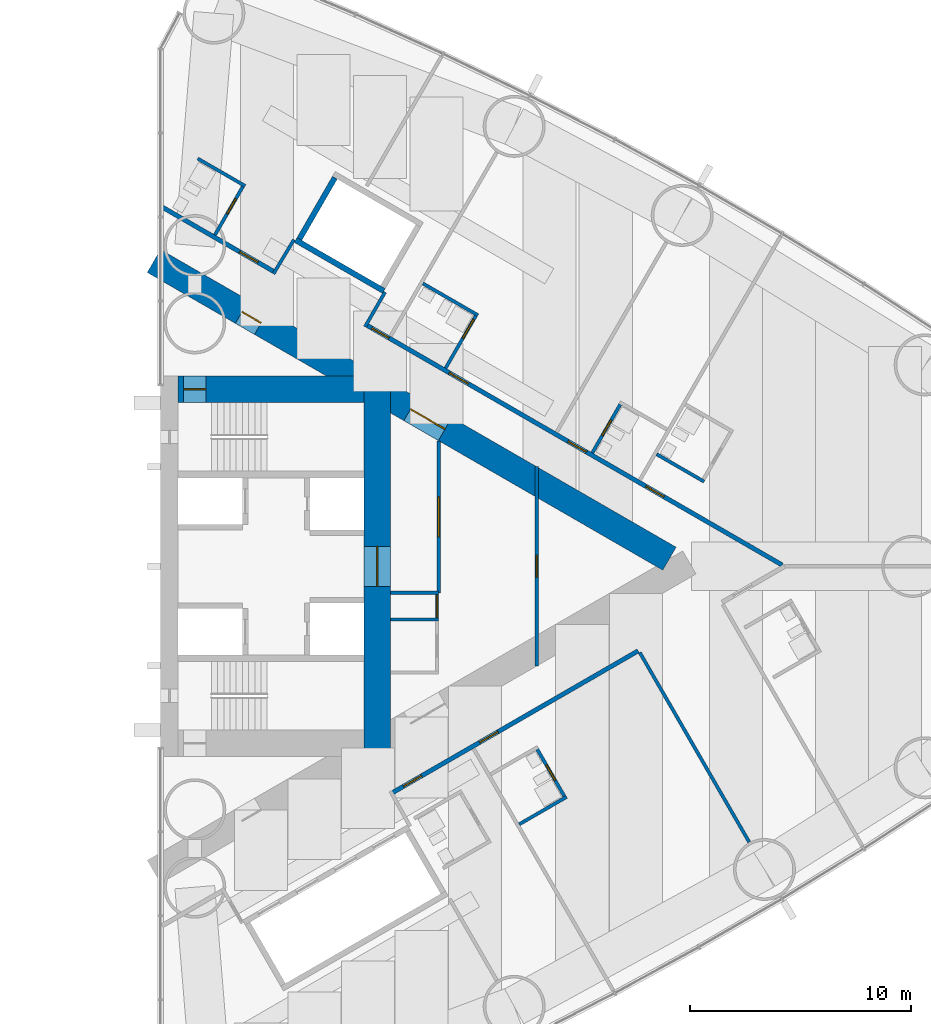
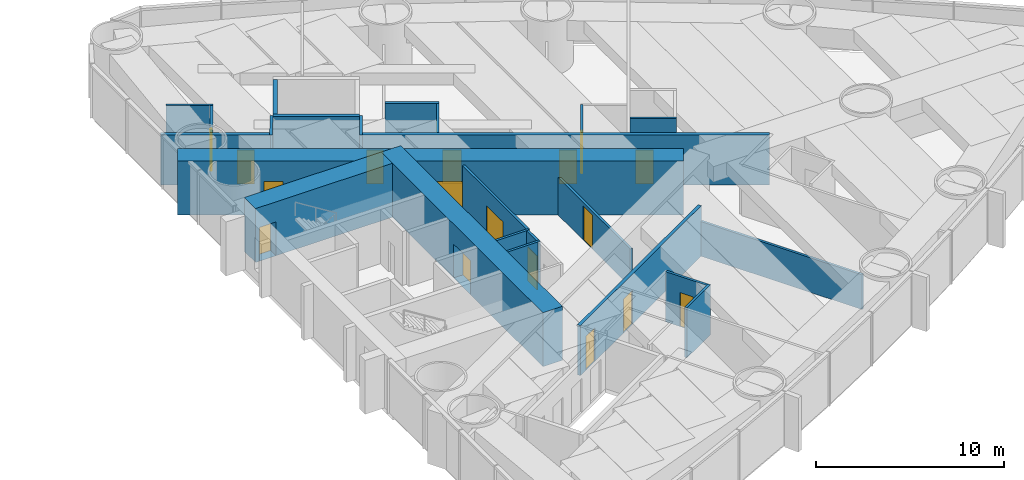
# One storey, part 15 of 19: 24 walls, 18 doors, 18 openings.
"""IFC4 building model written with IfcOpenShell, lengths in metres."""

from ifc_helpers import new_model, si_unit, direction, frame, frame_2d, origin, place, context, subcontext, project, spatial, rectangle, extrude, material, layer, layer_set, type_object, element, fill, save


model = new_model("IFC4")

# Units and contexts
model_context = context("Model", 3, precision=1e-05, world=origin(), true_north=direction((0.0, 1.0)))
body_context = subcontext(model_context, "Body", "Model", "MODEL_VIEW")
ifc_project = project(units=[si_unit("LENGTHUNIT", "METRE"), si_unit("AREAUNIT", "SQUARE_METRE"), si_unit("VOLUMEUNIT", "CUBIC_METRE"), si_unit("PLANEANGLEUNIT", "RADIAN"), si_unit("MASSUNIT", "GRAM", prefix="KILO")], contexts=[model_context])

# Site, building, storey
site_placement = place(None, origin())
site = spatial("IfcSite", under=ifc_project, at=site_placement, CompositionType="ELEMENT")
building_placement = place(site_placement, origin())
building = spatial("IfcBuilding", under=site, at=building_placement, Name="Lancet Gate Hotel", CompositionType="ELEMENT")
storey_placement = place(building_placement, frame((0.0, 0.0, 60.0)))
storey = spatial("IfcBuildingStorey", under=building, at=storey_placement, Name="L15", CompositionType="ELEMENT", Elevation=60.0)

# Wall
ifc_material_1 = material(Name="Moisture resistant board partition")
ifc_layer_1 = layer(ifc_material_1, 0.14990234375)
ifc_layer_set_1 = layer_set([ifc_layer_1], Name="Bathroom wall 150")
wall_type_1 = type_object("IfcWallType", Name="Bathroom wall 150", PredefinedType="PARTITIONING", material=ifc_layer_set_1)
wall_1_placement = place(storey_placement, frame((43.71240234375, -11.65673828125, 0.0), z_axis=(0.0, 0.0, 1.0), x_axis=(0.866006523861, 0.500032699561, 0.0)))
element("IfcWall", 1, at=wall_1_placement, inside=storey, type_object=wall_type_1, Name="T2 bathroom wall 150 L15", PredefinedType="PARTITIONING", context=body_context, shape_type="SweptSolid", body=[
    extrude(rectangle(XDim=2.474853515625, YDim=0.14990234375, at=frame_2d((1.2373046875, 0.0))), origin(), (0.0, 0.0, 1.0), 3.25),
])

# Wall, opening, door
wall_2_placement = place(storey_placement, frame((44.49072265625, -8.205078125, 0.0), z_axis=(0.0, 0.0, 1.0), x_axis=(0.500047596559, -0.865997922154, 0.0)))
wall_2 = element("IfcWall", 2, at=wall_2_placement, inside=storey, type_object=wall_type_1, Name="T2 bathroom wall 150 L15", PredefinedType="PARTITIONING", context=body_context, shape_type="SweptSolid", body=[
    extrude(rectangle(XDim=2.599853515625, YDim=0.14990234375, at=frame_2d((1.2998046875, 0.0))), origin(), (0.0, 0.0, 1.0), 3.25),
])
opening_1_placement = place(wall_2_placement, frame((0.89990234375, 0.0, 0.0)))
opening_1 = element("IfcOpeningElement", 3, at=opening_1_placement, cuts=wall_2, Name="Opening 1554-B", PredefinedType="OPENING", context=body_context, shape_type="SweptSolid", body=[
    extrude(rectangle(XDim=0.800048828125, YDim=2.199951171875, at=frame_2d((0.39990234375, 1.10009765625))), frame((0.0, 0.0849609375, 0.0), z_axis=(0.0, -1.0, 0.0), x_axis=(1.0, 0.0, 0.0)), (0.0, 0.0, 1.0), 0.169921875),
])
ifc_material_2 = material(Name="Timber door set", Category="wood")
door_type_1 = type_object("IfcDoorType", Name="Bathroom door 800", OperationType="SINGLE_SWING_RIGHT", PredefinedType="DOOR", material=ifc_material_2)
door_1_placement = place(opening_1_placement, origin())
door_1 = element("IfcDoor", 4, at=door_1_placement, inside=storey, type_object=door_type_1, Name="1554-B", OperationType="SINGLE_SWING_RIGHT", OverallHeight=2.199951171875, OverallWidth=0.800048828125, PredefinedType="DOOR", context=body_context, shape_type="SweptSolid", body=[
    extrude(rectangle(XDim=0.800048828125, YDim=2.199951171875, at=frame_2d((0.39990234375, 1.10009765625))), frame((0.0, 0.02490234375, 0.0), z_axis=(0.0, -1.0, 0.0), x_axis=(1.0, 0.0, 0.0)), (0.0, 0.0, 1.0), 0.050048828125),
])
fill(opening_1, door_1)

# Wall
wall_3_placement = place(storey_placement, frame((49.924560546875, 5.06787109375, 0.0), z_axis=(0.0, 0.0, 1.0), x_axis=(0.866006523861, -0.500032699561, 0.0)))
element("IfcWall", 5, at=wall_3_placement, inside=storey, type_object=wall_type_1, Name="T2 bathroom wall 150 L15", PredefinedType="PARTITIONING", context=body_context, shape_type="SweptSolid", body=[
    extrude(rectangle(XDim=2.474853515625, YDim=0.14990234375, at=frame_2d((1.2373046875, 0.0))), origin(), (0.0, 0.0, 1.0), 3.25),
])

# Wall, opening, door
wall_4_placement = place(storey_placement, frame((47.01611328125, 5.13037109375, 0.0), z_axis=(0.0, 0.0, 1.0), x_axis=(0.500006934395, 0.866021400173, 0.0)))
wall_4 = element("IfcWall", 6, at=wall_4_placement, inside=storey, type_object=wall_type_1, Name="T2 bathroom wall 150 L15", PredefinedType="PARTITIONING", context=body_context, shape_type="SweptSolid", body=[
    extrude(rectangle(XDim=2.60009765625, YDim=0.14990234375, at=frame_2d((1.300048828125, 0.0))), origin(), (0.0, 0.0, 1.0), 3.25),
])
opening_2_placement = place(wall_4_placement, frame((0.89990234375, 0.0, 0.0)))
opening_2 = element("IfcOpeningElement", 7, at=opening_2_placement, cuts=wall_4, Name="Opening 1560-B", PredefinedType="OPENING", context=body_context, shape_type="SweptSolid", body=[
    extrude(rectangle(XDim=0.800048828125, YDim=2.199951171875, at=frame_2d((0.39990234375, 1.10009765625))), frame((0.0, 0.0849609375, 0.0), z_axis=(0.0, -1.0, 0.0), x_axis=(1.0, 0.0, 0.0)), (0.0, 0.0, 1.0), 0.169921875),
])
door_2_placement = place(opening_2_placement, origin())
door_2 = element("IfcDoor", 8, at=door_2_placement, inside=storey, type_object=door_type_1, Name="1560-B", OperationType="SINGLE_SWING_RIGHT", OverallHeight=2.199951171875, OverallWidth=0.800048828125, PredefinedType="DOOR", context=body_context, shape_type="SweptSolid", body=[
    extrude(rectangle(XDim=0.800048828125, YDim=2.199951171875, at=frame_2d((0.39990234375, 1.10009765625))), frame((0.0, 0.02490234375, 0.0), z_axis=(0.0, -1.0, 0.0), x_axis=(1.0, 0.0, 0.0)), (0.0, 0.0, 1.0), 0.050048828125),
])
fill(opening_2, door_2)

# Wall
wall_5_placement = place(storey_placement, frame((39.360107421875, 12.78369140625, 0.0), z_axis=(0.0, 0.0, 1.0), x_axis=(0.866018712932, -0.500011588718, 0.0)))
element("IfcWall", 9, at=wall_5_placement, inside=storey, type_object=wall_type_1, Name="T2 bathroom wall 150 L15", PredefinedType="PARTITIONING", context=body_context, shape_type="SweptSolid", body=[
    extrude(rectangle(XDim=2.875, YDim=0.14990234375, at=frame_2d((1.4375, 0.0))), origin(), (0.0, 0.0, 1.0), 3.25),
])

# Wall, opening, door
wall_6_placement = place(storey_placement, frame((40.385009765625, 8.958984375, 0.0), z_axis=(0.0, 0.0, 1.0), x_axis=(0.49998411664, 0.866034573852, 0.0)))
wall_6 = element("IfcWall", 10, at=wall_6_placement, inside=storey, type_object=wall_type_1, Name="T2 bathroom wall 150 L15", PredefinedType="PARTITIONING", context=body_context, shape_type="SweptSolid", body=[
    extrude(rectangle(XDim=2.7998046875, YDim=0.14990234375, at=frame_2d((1.39990234375, 0.0))), origin(), (0.0, 0.0, 1.0), 3.25),
])
opening_3_placement = place(wall_6_placement, frame((1.550048828125, 0.0, 0.0)))
opening_3 = element("IfcOpeningElement", 11, at=opening_3_placement, cuts=wall_6, Name="Opening 1561-B", PredefinedType="OPENING", context=body_context, shape_type="SweptSolid", body=[
    extrude(rectangle(XDim=1.0, YDim=2.199951171875, at=frame_2d((0.5, 1.10009765625))), frame((0.0, 0.0849609375, 0.0), z_axis=(0.0, -1.0, 0.0), x_axis=(1.0, 0.0, 0.0)), (0.0, 0.0, 1.0), 0.169921875),
])
ifc_material_3 = material(Name="Timber door set", Category="wood")
door_type_2 = type_object("IfcDoorType", Name="Accessible en-suite door 1000", OperationType="SINGLE_SWING_RIGHT", PredefinedType="DOOR", material=ifc_material_3)
door_3_placement = place(opening_3_placement, origin())
door_3 = element("IfcDoor", 12, at=door_3_placement, inside=storey, type_object=door_type_2, Name="1561-B", OperationType="SINGLE_SWING_RIGHT", OverallHeight=2.199951171875, OverallWidth=1.0, PredefinedType="DOOR", context=body_context, shape_type="SweptSolid", body=[
    extrude(rectangle(XDim=1.0, YDim=2.199951171875, at=frame_2d((0.5, 1.10009765625))), frame((0.0, 0.02490234375, 0.0), z_axis=(0.0, -1.0, 0.0), x_axis=(1.0, 0.0, 0.0)), (0.0, 0.0, 1.0), 0.050048828125),
])
fill(opening_3, door_3)

# Wall
wall_7_placement = place(storey_placement, frame((29.181884765625, 18.42919921875, 0.0), z_axis=(0.0, 0.0, 1.0), x_axis=(0.866006523861, -0.500032699561, 0.0)))
element("IfcWall", 13, at=wall_7_placement, inside=storey, type_object=wall_type_1, Name="T2 bathroom wall 150 L15", PredefinedType="PARTITIONING", context=body_context, shape_type="SweptSolid", body=[
    extrude(rectangle(XDim=2.474853515625, YDim=0.14990234375, at=frame_2d((1.2373046875, 0.0))), origin(), (0.0, 0.0, 1.0), 3.25),
])

# Wall, opening, door
wall_8_placement = place(storey_placement, frame((29.960205078125, 14.9775390625, 0.0), z_axis=(0.0, 0.0, 1.0), x_axis=(0.500006934395, 0.866021400173, 0.0)))
wall_8 = element("IfcWall", 14, at=wall_8_placement, inside=storey, type_object=wall_type_1, Name="T2 bathroom wall 150 L15", PredefinedType="PARTITIONING", context=body_context, shape_type="SweptSolid", body=[
    extrude(rectangle(XDim=2.60009765625, YDim=0.14990234375, at=frame_2d((1.300048828125, 0.0))), origin(), (0.0, 0.0, 1.0), 3.25),
])
opening_4_placement = place(wall_8_placement, frame((1.10009765625, 0.0, 0.0)))
opening_4 = element("IfcOpeningElement", 15, at=opening_4_placement, cuts=wall_8, Name="Opening 1564-B", PredefinedType="OPENING", context=body_context, shape_type="SweptSolid", body=[
    extrude(rectangle(XDim=0.800048828125, YDim=2.199951171875, at=frame_2d((0.39990234375, 1.10009765625))), frame((0.0, 0.0849609375, 0.0), z_axis=(0.0, -1.0, 0.0), x_axis=(1.0, 0.0, 0.0)), (0.0, 0.0, 1.0), 0.169921875),
])
door_4_placement = place(opening_4_placement, origin())
door_4 = element("IfcDoor", 16, at=door_4_placement, inside=storey, type_object=door_type_1, Name="1564-B", OperationType="SINGLE_SWING_RIGHT", OverallHeight=2.199951171875, OverallWidth=0.800048828125, PredefinedType="DOOR", context=body_context, shape_type="SweptSolid", body=[
    extrude(rectangle(XDim=0.800048828125, YDim=2.199951171875, at=frame_2d((0.39990234375, 1.10009765625))), frame((0.0, 0.02490234375, 0.0), z_axis=(0.0, -1.0, 0.0), x_axis=(1.0, 0.0, 0.0)), (0.0, 0.0, 1.0), 0.050048828125),
])
fill(opening_4, door_4)

# Wall, openings, doors
ifc_material_4 = material(Name="Concrete C70/85", Category="concrete")
ifc_layer_2 = layer(ifc_material_4, 1.199951171875)
ifc_layer_set_2 = layer_set([ifc_layer_2], Name="Buttress wall 1200")
wall_type_2 = type_object("IfcWallType", Name="Buttress wall 1200", PredefinedType="SHEAR", material=ifc_layer_set_2)
wall_9_placement = place(storey_placement, frame((27.199951171875, 13.800048828125, 0.0), z_axis=(0.0, 0.0, 1.0), x_axis=(0.866024515034, -0.500001539357, 0.0)))
wall_9 = element("IfcWall", 17, at=wall_9_placement, inside=storey, type_object=wall_type_2, Name="T2 buttress wall N L15", PredefinedType="SHEAR", context=body_context, shape_type="SweptSolid", body=[
    extrude(rectangle(XDim=26.9072265625, YDim=1.199951171875, at=frame_2d((13.45361328125, 0.0))), origin(), (0.0, 0.0, 1.0), 3.5),
])
opening_5_placement = place(wall_9_placement, frame((4.60009765625, 0.0, 0.0)))
opening_5 = element("IfcOpeningElement", 18, at=opening_5_placement, cuts=wall_9, Name="Opening T2-L15-LN", PredefinedType="OPENING", context=body_context, shape_type="SweptSolid", body=[
    extrude(rectangle(XDim=1.0, YDim=2.199951171875, at=frame_2d((0.5, 1.10009765625))), frame((0.0, 0.60986328125, 0.0), z_axis=(0.0, -1.0, 0.0), x_axis=(1.0, 0.0, 0.0)), (0.0, 0.0, 1.0), 1.219970703125),
])
opening_6_placement = place(wall_9_placement, frame((13.39453125, 0.0, 0.0)))
opening_6 = element("IfcOpeningElement", 19, at=opening_6_placement, cuts=wall_9, Name="Opening T2-L15-LHN", PredefinedType="OPENING", context=body_context, shape_type="SweptSolid", body=[
    extrude(rectangle(XDim=1.800048828125, YDim=2.199951171875, at=frame_2d((0.89990234375, 1.10009765625))), frame((0.0, 0.60986328125, 0.0), z_axis=(0.0, -1.0, 0.0), x_axis=(1.0, 0.0, 0.0)), (0.0, 0.0, 1.0), 1.219970703125),
])
ifc_material_5 = material(Name="Timber door set", Category="wood")
door_type_3 = type_object("IfcDoorType", Name="Lobby double door 1800", OperationType="DOUBLE_DOOR_SINGLE_SWING", PredefinedType="DOOR", material=ifc_material_5)
door_5_placement = place(opening_6_placement, origin())
door_5 = element("IfcDoor", 20, at=door_5_placement, inside=storey, type_object=door_type_3, Name="T2-L15-LHN", OperationType="DOUBLE_DOOR_SINGLE_SWING", OverallHeight=2.199951171875, OverallWidth=1.800048828125, PredefinedType="DOOR", context=body_context, shape_type="SweptSolid", body=[
    extrude(rectangle(XDim=1.800048828125, YDim=2.199951171875, at=frame_2d((0.89990234375, 1.10009765625))), frame((0.0, 0.02490234375, 0.0), z_axis=(0.0, -1.0, 0.0), x_axis=(1.0, 0.0, 0.0)), (0.0, 0.0, 1.0), 0.050048828125),
])
fill(opening_6, door_5)
ifc_material_6 = material(Name="Timber door set", Category="wood")
door_type_4 = type_object("IfcDoorType", Name="Stair lobby door 1000", OperationType="SINGLE_SWING_LEFT", PredefinedType="DOOR", material=ifc_material_6)
door_6_placement = place(opening_5_placement, origin())
door_6 = element("IfcDoor", 21, at=door_6_placement, inside=storey, type_object=door_type_4, Name="T2-L15-LN", OperationType="SINGLE_SWING_LEFT", OverallHeight=2.199951171875, OverallWidth=1.0, PredefinedType="DOOR", context=body_context, shape_type="SweptSolid", body=[
    extrude(rectangle(XDim=1.0, YDim=2.199951171875, at=frame_2d((0.5, 1.10009765625))), frame((0.0, 0.02490234375, 0.0), z_axis=(0.0, -1.0, 0.0), x_axis=(1.0, 0.0, 0.0)), (0.0, 0.0, 1.0), 0.050048828125),
])
fill(opening_5, door_6)

# Wall, opening, door
ifc_material_7 = material(Name="Concrete C70/85", Category="concrete")
ifc_layer_3 = layer(ifc_material_7, 1.199951171875)
ifc_layer_set_3 = layer_set([ifc_layer_3], Name="Core wall 1200")
wall_type_3 = type_object("IfcWallType", Name="Core wall 1200", PredefinedType="SHEAR", material=ifc_layer_set_3)
wall_10_placement = place(storey_placement, frame((37.300048828125, -8.60009765625, 0.0), z_axis=(0.0, 0.0, 1.0), x_axis=(0.0, 1.0, 0.0)))
wall_10 = element("IfcWall", 22, at=wall_10_placement, inside=storey, type_object=wall_type_3, Name="T2 core wall back L15", PredefinedType="SHEAR", context=body_context, shape_type="SweptSolid", body=[
    extrude(rectangle(XDim=17.2001953125, YDim=1.199951171875, at=frame_2d((8.60009765625, 0.0))), origin(), (0.0, 0.0, 1.0), 3.5),
])
opening_7_placement = place(wall_10_placement, frame((7.699951171875, 0.0, 0.0)))
opening_7 = element("IfcOpeningElement", 23, at=opening_7_placement, cuts=wall_10, Name="Opening T2-L15-LL", PredefinedType="OPENING", context=body_context, shape_type="SweptSolid", body=[
    extrude(rectangle(XDim=1.800048828125, YDim=2.199951171875, at=frame_2d((0.89990234375, 1.10009765625))), frame((0.0, 0.60986328125, 0.0), z_axis=(0.0, -1.0, 0.0), x_axis=(1.0, 0.0, 0.0)), (0.0, 0.0, 1.0), 1.219970703125),
])
door_7_placement = place(opening_7_placement, origin())
door_7 = element("IfcDoor", 24, at=door_7_placement, inside=storey, type_object=door_type_3, Name="T2-L15-LL", OperationType="DOUBLE_DOOR_SINGLE_SWING", OverallHeight=2.199951171875, OverallWidth=1.800048828125, PredefinedType="DOOR", context=body_context, shape_type="SweptSolid", body=[
    extrude(rectangle(XDim=1.800048828125, YDim=2.199951171875, at=frame_2d((0.89990234375, 1.10009765625))), frame((0.0, 0.02490234375, 0.0), z_axis=(0.0, -1.0, 0.0), x_axis=(1.0, 0.0, 0.0)), (0.0, 0.0, 1.0), 0.050048828125),
])
fill(opening_7, door_7)

wall_11_placement = place(storey_placement, frame((28.300048828125, 8.0, 0.0), z_axis=(0.0, 0.0, 1.0), x_axis=(1.0, 0.0, 0.0)))
wall_11 = element("IfcWall", 25, at=wall_11_placement, inside=storey, type_object=wall_type_3, Name="T2 core wall side-N L15", PredefinedType="SHEAR", context=body_context, shape_type="SweptSolid", body=[
    extrude(rectangle(XDim=8.39990234375, YDim=1.199951171875, at=frame_2d((4.199951171875, 0.0))), origin(), (0.0, 0.0, 1.0), 3.5),
])
opening_8_placement = place(wall_11_placement, frame((0.25, 0.0, 0.0)))
opening_8 = element("IfcOpeningElement", 26, at=opening_8_placement, cuts=wall_11, Name="Opening T2-L15-ST2", PredefinedType="OPENING", context=body_context, shape_type="SweptSolid", body=[
    extrude(rectangle(XDim=1.0, YDim=2.199951171875, at=frame_2d((0.5, 1.10009765625))), frame((0.0, 0.60986328125, 0.0), z_axis=(0.0, -1.0, 0.0), x_axis=(1.0, 0.0, 0.0)), (0.0, 0.0, 1.0), 1.219970703125),
])
ifc_material_8 = material(Name="Timber door set", Category="wood")
door_type_5 = type_object("IfcDoorType", Name="Stair door 1000", OperationType="SINGLE_SWING_RIGHT", PredefinedType="DOOR", material=ifc_material_8)
door_8_placement = place(opening_8_placement, origin())
door_8 = element("IfcDoor", 27, at=door_8_placement, inside=storey, type_object=door_type_5, Name="T2-L15-ST2", OperationType="SINGLE_SWING_RIGHT", OverallHeight=2.199951171875, OverallWidth=1.0, PredefinedType="DOOR", context=body_context, shape_type="SweptSolid", body=[
    extrude(rectangle(XDim=1.0, YDim=2.199951171875, at=frame_2d((0.5, 1.10009765625))), frame((0.0, 0.02490234375, 0.0), z_axis=(0.0, -1.0, 0.0), x_axis=(1.0, 0.0, 0.0)), (0.0, 0.0, 1.0), 0.050048828125),
])
fill(opening_8, door_8)

ifc_material_9 = material(Name="Gypsum board partition")
ifc_layer_4 = layer(ifc_material_9, 0.199951171875)
ifc_layer_set_4 = layer_set([ifc_layer_4], Name="Corridor wall 200")
wall_type_4 = type_object("IfcWallType", Name="Corridor wall 200", PredefinedType="PARTITIONING", material=ifc_layer_set_4)
wall_12_placement = place(storey_placement, frame((27.572021484375, 16.240966796875, 0.0), z_axis=(0.0, 0.0, 1.0), x_axis=(0.866032814021, -0.499987164874, 0.0)))
wall_12 = element("IfcWall", 28, at=wall_12_placement, inside=storey, type_object=wall_type_4, Name="T2 corridor wall 200 L15", PredefinedType="PARTITIONING", context=body_context, shape_type="SweptSolid", body=[
    extrude(rectangle(XDim=5.854736328125, YDim=0.199951171875, at=frame_2d((2.92724609375, 0.0))), origin(), (0.0, 0.0, 1.0), 3.25),
])
opening_9_placement = place(wall_12_placement, frame((4.050048828125, 0.0, 0.0)))
opening_9 = element("IfcOpeningElement", 29, at=opening_9_placement, cuts=wall_12, Name="Opening 1564-E", PredefinedType="OPENING", context=body_context, shape_type="SweptSolid", body=[
    extrude(rectangle(XDim=0.949951171875, YDim=2.199951171875, at=frame_2d((0.47509765625, 1.10009765625))), frame((0.0, 0.10986328125, 0.0), z_axis=(0.0, -1.0, 0.0), x_axis=(1.0, 0.0, 0.0)), (0.0, 0.0, 1.0), 0.219970703125),
])
ifc_material_10 = material(Name="Timber door set", Category="wood")
door_type_6 = type_object("IfcDoorType", Name="Guest room entry door 950", OperationType="SINGLE_SWING_LEFT", PredefinedType="DOOR", material=ifc_material_10)
door_9_placement = place(opening_9_placement, origin())
door_9 = element("IfcDoor", 30, at=door_9_placement, inside=storey, type_object=door_type_6, Name="1564-E", OperationType="SINGLE_SWING_LEFT", OverallHeight=2.199951171875, OverallWidth=0.949951171875, PredefinedType="DOOR", context=body_context, shape_type="SweptSolid", body=[
    extrude(rectangle(XDim=0.949951171875, YDim=2.199951171875, at=frame_2d((0.47509765625, 1.10009765625))), frame((0.0, 0.02490234375, 0.0), z_axis=(0.0, -1.0, 0.0), x_axis=(1.0, 0.0, 0.0)), (0.0, 0.0, 1.0), 0.050048828125),
])
fill(opening_9, door_9)

# Wall, openings, doors
wall_13_placement = place(storey_placement, frame((36.833984375, 10.8935546875, 0.0), z_axis=(0.0, 0.0, 1.0), x_axis=(0.866028157229, -0.499995230863, 0.0)))
wall_13 = element("IfcWall", 31, at=wall_13_placement, inside=storey, type_object=wall_type_4, Name="T2 corridor wall 200 L15", PredefinedType="PARTITIONING", context=body_context, shape_type="SweptSolid", body=[
    extrude(rectangle(XDim=21.667236328125, YDim=0.199951171875, at=frame_2d((10.83349609375, 0.0))), origin(), (0.0, 0.0, 1.0), 3.25),
])
opening_10_placement = place(wall_13_placement, frame((14.549560546875, 0.0, 0.0)))
opening_10 = element("IfcOpeningElement", 32, at=opening_10_placement, cuts=wall_13, Name="Opening 1558-E", PredefinedType="OPENING", context=body_context, shape_type="SweptSolid", body=[
    extrude(rectangle(XDim=0.949951171875, YDim=2.199951171875, at=frame_2d((0.47509765625, 1.10009765625))), frame((0.0, 0.10986328125, 0.0), z_axis=(0.0, -1.0, 0.0), x_axis=(1.0, 0.0, 0.0)), (0.0, 0.0, 1.0), 0.219970703125),
])
opening_11_placement = place(wall_13_placement, frame((10.49951171875, 0.0, 0.0)))
opening_11 = element("IfcOpeningElement", 33, at=opening_11_placement, cuts=wall_13, Name="Opening 1560-E", PredefinedType="OPENING", context=body_context, shape_type="SweptSolid", body=[
    extrude(rectangle(XDim=0.949951171875, YDim=2.199951171875, at=frame_2d((0.47509765625, 1.10009765625))), frame((0.0, 0.10986328125, 0.0), z_axis=(0.0, -1.0, 0.0), x_axis=(1.0, 0.0, 0.0)), (0.0, 0.0, 1.0), 0.219970703125),
])
opening_12_placement = place(wall_13_placement, frame((4.29248046875, 0.0, 0.0)))
opening_12 = element("IfcOpeningElement", 34, at=opening_12_placement, cuts=wall_13, Name="Opening 1561-E", PredefinedType="OPENING", context=body_context, shape_type="SweptSolid", body=[
    extrude(rectangle(XDim=1.0, YDim=2.199951171875, at=frame_2d((0.5, 1.10009765625))), frame((0.0, 0.10986328125, 0.0), z_axis=(0.0, -1.0, 0.0), x_axis=(1.0, 0.0, 0.0)), (0.0, 0.0, 1.0), 0.219970703125),
])
opening_13_placement = place(wall_13_placement, frame((0.246337890625, 0.0, 0.0)))
opening_13 = element("IfcOpeningElement", 35, at=opening_13_placement, cuts=wall_13, Name="Opening T2-L15-LO2", PredefinedType="OPENING", context=body_context, shape_type="SweptSolid", body=[
    extrude(rectangle(XDim=0.89990234375, YDim=2.199951171875, at=frame_2d((0.449951171875, 1.10009765625))), frame((0.0, 0.10986328125, 0.0), z_axis=(0.0, -1.0, 0.0), x_axis=(1.0, 0.0, 0.0)), (0.0, 0.0, 1.0), 0.219970703125),
])
ifc_material_11 = material(Name="Timber door set", Category="wood")
door_type_7 = type_object("IfcDoorType", Name="Accessible guest room door 1000", OperationType="SINGLE_SWING_LEFT", PredefinedType="DOOR", material=ifc_material_11)
door_10_placement = place(opening_12_placement, origin())
door_10 = element("IfcDoor", 36, at=door_10_placement, inside=storey, type_object=door_type_7, Name="1561-E", OperationType="SINGLE_SWING_LEFT", OverallHeight=2.199951171875, OverallWidth=1.0, PredefinedType="DOOR", context=body_context, shape_type="SweptSolid", body=[
    extrude(rectangle(XDim=1.0, YDim=2.199951171875, at=frame_2d((0.5, 1.10009765625))), frame((0.0, 0.02490234375, 0.0), z_axis=(0.0, -1.0, 0.0), x_axis=(1.0, 0.0, 0.0)), (0.0, 0.0, 1.0), 0.050048828125),
])
fill(opening_12, door_10)
door_11_placement = place(opening_10_placement, origin())
door_11 = element("IfcDoor", 37, at=door_11_placement, inside=storey, type_object=door_type_6, Name="1558-E", OperationType="SINGLE_SWING_LEFT", OverallHeight=2.199951171875, OverallWidth=0.949951171875, PredefinedType="DOOR", context=body_context, shape_type="SweptSolid", body=[
    extrude(rectangle(XDim=0.949951171875, YDim=2.199951171875, at=frame_2d((0.47509765625, 1.10009765625))), frame((0.0, 0.02490234375, 0.0), z_axis=(0.0, -1.0, 0.0), x_axis=(1.0, 0.0, 0.0)), (0.0, 0.0, 1.0), 0.050048828125),
])
fill(opening_10, door_11)
door_12_placement = place(opening_11_placement, origin())
door_12 = element("IfcDoor", 38, at=door_12_placement, inside=storey, type_object=door_type_6, Name="1560-E", OperationType="SINGLE_SWING_LEFT", OverallHeight=2.199951171875, OverallWidth=0.949951171875, PredefinedType="DOOR", context=body_context, shape_type="SweptSolid", body=[
    extrude(rectangle(XDim=0.949951171875, YDim=2.199951171875, at=frame_2d((0.47509765625, 1.10009765625))), frame((0.0, 0.02490234375, 0.0), z_axis=(0.0, -1.0, 0.0), x_axis=(1.0, 0.0, 0.0)), (0.0, 0.0, 1.0), 0.050048828125),
])
fill(opening_11, door_12)
door_13_placement = place(opening_13_placement, origin())
door_13 = element("IfcDoor", 39, at=door_13_placement, inside=storey, type_object=door_type_6, Name="T2-L15-LO2", OperationType="SINGLE_SWING_LEFT", OverallHeight=2.199951171875, OverallWidth=0.89990234375, PredefinedType="DOOR", context=body_context, shape_type="SweptSolid", body=[
    extrude(rectangle(XDim=0.89990234375, YDim=2.199951171875, at=frame_2d((0.449951171875, 1.10009765625))), frame((0.0, 0.02490234375, 0.0), z_axis=(0.0, -1.0, 0.0), x_axis=(1.0, 0.0, 0.0)), (0.0, 0.0, 1.0), 0.050048828125),
])
fill(opening_13, door_13)

wall_14_placement = place(storey_placement, frame((37.9599609375, -10.243408203125, 0.0), z_axis=(0.0, 0.0, 1.0), x_axis=(0.866030548046, 0.499991089772, 0.0)))
wall_14 = element("IfcWall", 40, at=wall_14_placement, inside=storey, type_object=wall_type_4, Name="T2 corridor wall 200 L15", PredefinedType="PARTITIONING", context=body_context, shape_type="SweptSolid", body=[
    extrude(rectangle(XDim=12.849365234375, YDim=0.199951171875, at=frame_2d((6.4248046875, 0.0))), origin(), (0.0, 0.0, 1.0), 3.25),
])
opening_14_placement = place(wall_14_placement, frame((4.574951171875, 0.0, 0.0)))
opening_14 = element("IfcOpeningElement", 41, at=opening_14_placement, cuts=wall_14, Name="Opening 1554-E", PredefinedType="OPENING", context=body_context, shape_type="SweptSolid", body=[
    extrude(rectangle(XDim=0.949951171875, YDim=2.199951171875, at=frame_2d((0.47509765625, 1.10009765625))), frame((0.0, 0.10986328125, 0.0), z_axis=(0.0, -1.0, 0.0), x_axis=(1.0, 0.0, 0.0)), (0.0, 0.0, 1.0), 0.219970703125),
])
opening_15_placement = place(wall_14_placement, frame((0.60009765625, 0.0, 0.0)))
opening_15 = element("IfcOpeningElement", 42, at=opening_15_placement, cuts=wall_14, Name="Opening 1553-E", PredefinedType="OPENING", context=body_context, shape_type="SweptSolid", body=[
    extrude(rectangle(XDim=0.949951171875, YDim=2.199951171875, at=frame_2d((0.47509765625, 1.10009765625))), frame((0.0, 0.10986328125, 0.0), z_axis=(0.0, -1.0, 0.0), x_axis=(1.0, 0.0, 0.0)), (0.0, 0.0, 1.0), 0.219970703125),
])
door_14_placement = place(opening_14_placement, origin())
door_14 = element("IfcDoor", 43, at=door_14_placement, inside=storey, type_object=door_type_6, Name="1554-E", OperationType="SINGLE_SWING_LEFT", OverallHeight=2.199951171875, OverallWidth=0.949951171875, PredefinedType="DOOR", context=body_context, shape_type="SweptSolid", body=[
    extrude(rectangle(XDim=0.949951171875, YDim=2.199951171875, at=frame_2d((0.47509765625, 1.10009765625))), frame((0.0, 0.02490234375, 0.0), z_axis=(0.0, -1.0, 0.0), x_axis=(1.0, 0.0, 0.0)), (0.0, 0.0, 1.0), 0.050048828125),
])
fill(opening_14, door_14)
door_15_placement = place(opening_15_placement, origin())
door_15 = element("IfcDoor", 44, at=door_15_placement, inside=storey, type_object=door_type_6, Name="1553-E", OperationType="SINGLE_SWING_LEFT", OverallHeight=2.199951171875, OverallWidth=0.949951171875, PredefinedType="DOOR", context=body_context, shape_type="SweptSolid", body=[
    extrude(rectangle(XDim=0.949951171875, YDim=2.199951171875, at=frame_2d((0.47509765625, 1.10009765625))), frame((0.0, 0.02490234375, 0.0), z_axis=(0.0, -1.0, 0.0), x_axis=(1.0, 0.0, 0.0)), (0.0, 0.0, 1.0), 0.050048828125),
])
fill(opening_15, door_15)

# Walls
ifc_material_12 = material(Name="Gypsum board partition")
ifc_layer_5 = layer(ifc_material_12, 0.25)
ifc_layer_set_5 = layer_set([ifc_layer_5], Name="Lift shaft partition 250")
wall_type_5 = type_object("IfcWallType", Name="Lift shaft partition 250", PredefinedType="PARTITIONING", material=ifc_layer_set_5)
wall_15_placement = place(storey_placement, frame((33.6083984375, 14.747314453125, 0.0), z_axis=(0.0, 0.0, 1.0), x_axis=(0.866043305498, -0.49996899204, 0.0)))
element("IfcWall", 45, at=wall_15_placement, inside=storey, type_object=wall_type_5, Name="T2 lift shaft wall EX L15", PredefinedType="PARTITIONING", context=body_context, shape_type="SweptSolid", body=[
    extrude(rectangle(XDim=4.600341796875, YDim=0.25, at=frame_2d((2.30029296875, 0.0))), origin(), (0.0, 0.0, 1.0), 3.25),
])
wall_16_placement = place(storey_placement, frame((33.779296875, 14.79296875, 0.0), z_axis=(0.0, 0.0, 1.0), x_axis=(0.499929347863, 0.866066190972, 0.0)))
element("IfcWall", 46, at=wall_16_placement, inside=storey, type_object=wall_type_5, Name="T2 lift shaft wall EX L15", PredefinedType="PARTITIONING", context=body_context, shape_type="SweptSolid", body=[
    extrude(rectangle(XDim=3.20068359375, YDim=0.25, at=frame_2d((1.600341796875, 0.0))), origin(), (0.0, 0.0, 1.0), 3.25),
])
ifc_material_13 = material(Name="Gypsum board partition")
ifc_layer_6 = layer(ifc_material_13, 0.14990234375)
ifc_layer_set_6 = layer_set([ifc_layer_6], Name="Party wall 150")
wall_type_6 = type_object("IfcWallType", Name="Party wall 150", PredefinedType="PARTITIONING", material=ifc_layer_set_6)
wall_17_placement = place(storey_placement, frame((49.159423828125, -3.892822265625, 0.0), z_axis=(0.0, 0.0, 1.0), x_axis=(0.499998773722, -0.866026111775, 0.0)))
element("IfcWall", 47, at=wall_17_placement, inside=storey, type_object=wall_type_6, Name="T2 party wall 150 L15", PredefinedType="PARTITIONING", context=body_context, shape_type="SweptSolid", body=[
    extrude(rectangle(XDim=9.8916015625, YDim=0.14990234375, at=frame_2d((4.94580078125, 0.0))), origin(), (0.0, 0.0, 1.0), 2.25),
])
ifc_material_14 = material(Name="Gypsum board partition")
ifc_layer_7 = layer(ifc_material_14, 0.14990234375)
ifc_layer_set_7 = layer_set([ifc_layer_7], Name="Service room wall 150")
wall_type_7 = type_object("IfcWallType", Name="Service room wall 150", PredefinedType="PARTITIONING", material=ifc_layer_set_7)
for number, where, z_axis, x_axis, name in (
    (48, (33.533447265625, 14.767333984375, 0.0), (0.0, 0.0, 1.0), (-0.514296815006, -0.857612258585, 0.0), "T2 service room wall 150 L15"),
    (49, (36.7451171875, 10.829345703125, 0.0), (0.0, 0.0, 1.0), (0.499921502396, 0.866070719654, 0.0), "T2 service room wall 150 L15"),
):
    element("IfcWall", number, at=place(storey_placement, frame(where, z_axis=z_axis, x_axis=x_axis)), inside=storey, type_object=wall_type_7, Name=name, PredefinedType="PARTITIONING", context=body_context, shape_type="SweptSolid", body=[
        extrude(rectangle(XDim=1.804931640625, YDim=0.14990234375, at=frame_2d((0.90234375, 0.0))), origin(), (0.0, 0.0, 1.0), 3.25),
    ])
for number, where, z_axis, x_axis, name in (
    (50, (37.89990234375, -1.199951171875, 0.0), (0.0, 0.0, 1.0), (1.0, 0.0, 0.0), "T2 service room wall 150 L15"),
    (51, (37.89990234375, -2.39990234375, 0.0), (0.0, 0.0, 1.0), (1.0, 0.0, 0.0), "T2 service room wall 150 L15"),
):
    element("IfcWall", number, at=place(storey_placement, frame(where, z_axis=z_axis, x_axis=x_axis)), inside=storey, type_object=wall_type_7, Name=name, PredefinedType="PARTITIONING", context=body_context, shape_type="SweptSolid", body=[
        extrude(rectangle(XDim=2.175048828125, YDim=0.14990234375, at=frame_2d((1.08740234375, 0.0))), origin(), (0.0, 0.0, 1.0), 3.25),
    ])

# Wall, opening, door
wall_18_placement = place(storey_placement, frame((40.0, -2.47509765625, 0.0), z_axis=(0.0, 0.0, 1.0), x_axis=(0.0, 1.0, 0.0)))
wall_18 = element("IfcWall", 52, at=wall_18_placement, inside=storey, type_object=wall_type_7, Name="T2 service room wall 150 L15", PredefinedType="PARTITIONING", context=body_context, shape_type="SweptSolid", body=[
    extrude(rectangle(XDim=1.35009765625, YDim=0.14990234375, at=frame_2d((0.675048828125, 0.0))), origin(), (0.0, 0.0, 1.0), 3.25),
])
opening_16_placement = place(wall_18_placement, frame((0.175048828125, 0.0, 0.0)))
opening_16 = element("IfcOpeningElement", 53, at=opening_16_placement, cuts=wall_18, Name="Opening T2-L15-HRS0", PredefinedType="OPENING", context=body_context, shape_type="SweptSolid", body=[
    extrude(rectangle(XDim=1.0, YDim=2.199951171875, at=frame_2d((0.5, 1.10009765625))), frame((0.0, 0.0849609375, 0.0), z_axis=(0.0, -1.0, 0.0), x_axis=(1.0, 0.0, 0.0)), (0.0, 0.0, 1.0), 0.169921875),
])
ifc_material_15 = material(Name="Timber door set", Category="wood")
door_type_8 = type_object("IfcDoorType", Name="Service door 1000", OperationType="SINGLE_SWING_LEFT", PredefinedType="DOOR", material=ifc_material_15)
door_16_placement = place(opening_16_placement, origin())
door_16 = element("IfcDoor", 54, at=door_16_placement, inside=storey, type_object=door_type_8, Name="T2-L15-HRS0", OperationType="SINGLE_SWING_LEFT", OverallHeight=2.199951171875, OverallWidth=1.0, PredefinedType="DOOR", context=body_context, shape_type="SweptSolid", body=[
    extrude(rectangle(XDim=1.0, YDim=2.199951171875, at=frame_2d((0.5, 1.10009765625))), frame((0.0, 0.02490234375, 0.0), z_axis=(0.0, -1.0, 0.0), x_axis=(1.0, 0.0, 0.0)), (0.0, 0.0, 1.0), 0.050048828125),
])
fill(opening_16, door_16)

wall_19_placement = place(storey_placement, frame((40.074951171875, -1.199951171875, 0.0), z_axis=(0.0, 0.0, 1.0), x_axis=(0.0, 1.0, 0.0)))
wall_19 = element("IfcWall", 55, at=wall_19_placement, inside=storey, type_object=wall_type_7, Name="T2 service room wall 150 L15", PredefinedType="PARTITIONING", context=body_context, shape_type="SweptSolid", body=[
    extrude(rectangle(XDim=6.873779296875, YDim=0.14990234375, at=frame_2d((3.43701171875, 0.0))), origin(), (0.0, 0.0, 1.0), 3.25),
])
opening_17_placement = place(wall_19_placement, frame((2.536865234375, 0.0, 0.0)))
opening_17 = element("IfcOpeningElement", 56, at=opening_17_placement, cuts=wall_19, Name="Opening T2-L15-LH", PredefinedType="OPENING", context=body_context, shape_type="SweptSolid", body=[
    extrude(rectangle(XDim=1.800048828125, YDim=2.199951171875, at=frame_2d((0.89990234375, 1.10009765625))), frame((0.0, 0.0849609375, 0.0), z_axis=(0.0, -1.0, 0.0), x_axis=(1.0, 0.0, 0.0)), (0.0, 0.0, 1.0), 0.169921875),
])
door_17_placement = place(opening_17_placement, origin())
door_17 = element("IfcDoor", 57, at=door_17_placement, inside=storey, type_object=door_type_3, Name="T2-L15-LH", OperationType="DOUBLE_DOOR_SINGLE_SWING", OverallHeight=2.199951171875, OverallWidth=1.800048828125, PredefinedType="DOOR", context=body_context, shape_type="SweptSolid", body=[
    extrude(rectangle(XDim=1.800048828125, YDim=2.199951171875, at=frame_2d((0.89990234375, 1.10009765625))), frame((0.0, 0.02490234375, 0.0), z_axis=(0.0, -1.0, 0.0), x_axis=(1.0, 0.0, 0.0)), (0.0, 0.0, 1.0), 0.050048828125),
])
fill(opening_17, door_17)

wall_20_placement = place(storey_placement, frame((44.5, -4.504638671875, 0.0), z_axis=(0.0, 0.0, 1.0), x_axis=(0.0, 1.0, 0.0)))
wall_20 = element("IfcWall", 58, at=wall_20_placement, inside=storey, type_object=wall_type_7, Name="T2 service room wall 150 L15", PredefinedType="PARTITIONING", context=body_context, shape_type="SweptSolid", body=[
    extrude(rectangle(XDim=9.00927734375, YDim=0.14990234375, at=frame_2d((4.504638671875, 0.0))), origin(), (0.0, 0.0, 1.0), 2.449951171875),
])
opening_18_placement = place(wall_20_placement, frame((4.004638671875, 0.0, 0.0)))
opening_18 = element("IfcOpeningElement", 59, at=opening_18_placement, cuts=wall_20, Name="Opening T2-L15-SV", PredefinedType="OPENING", context=body_context, shape_type="SweptSolid", body=[
    extrude(rectangle(XDim=1.0, YDim=2.199951171875, at=frame_2d((0.5, 1.10009765625))), frame((0.0, 0.0849609375, 0.0), z_axis=(0.0, -1.0, 0.0), x_axis=(1.0, 0.0, 0.0)), (0.0, 0.0, 1.0), 0.169921875),
])
door_18_placement = place(opening_18_placement, origin())
door_18 = element("IfcDoor", 60, at=door_18_placement, inside=storey, type_object=door_type_8, Name="T2-L15-SV", OperationType="SINGLE_SWING_LEFT", OverallHeight=2.199951171875, OverallWidth=1.0, PredefinedType="DOOR", context=body_context, shape_type="SweptSolid", body=[
    extrude(rectangle(XDim=1.0, YDim=2.199951171875, at=frame_2d((0.5, 1.10009765625))), frame((0.0, 0.02490234375, 0.0), z_axis=(0.0, -1.0, 0.0), x_axis=(1.0, 0.0, 0.0)), (0.0, 0.0, 1.0), 0.050048828125),
])
fill(opening_18, door_18)

save(model, "model.ifc")
